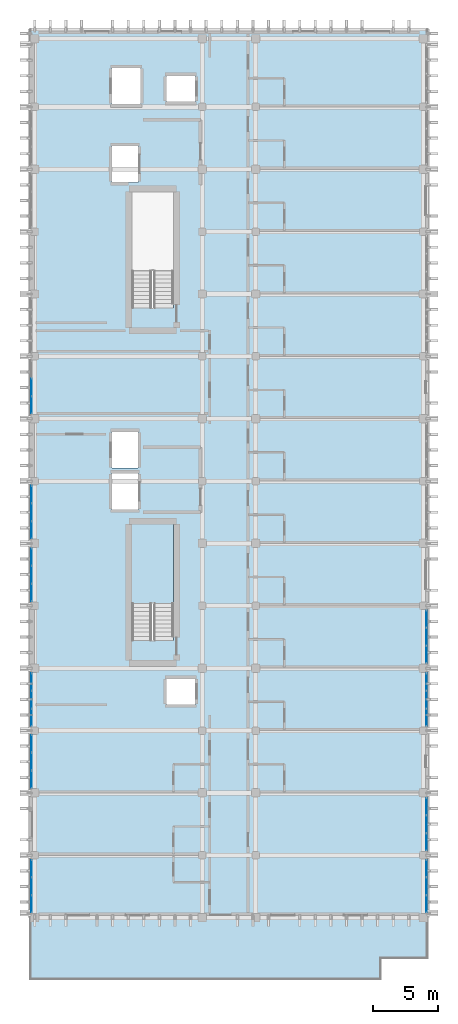
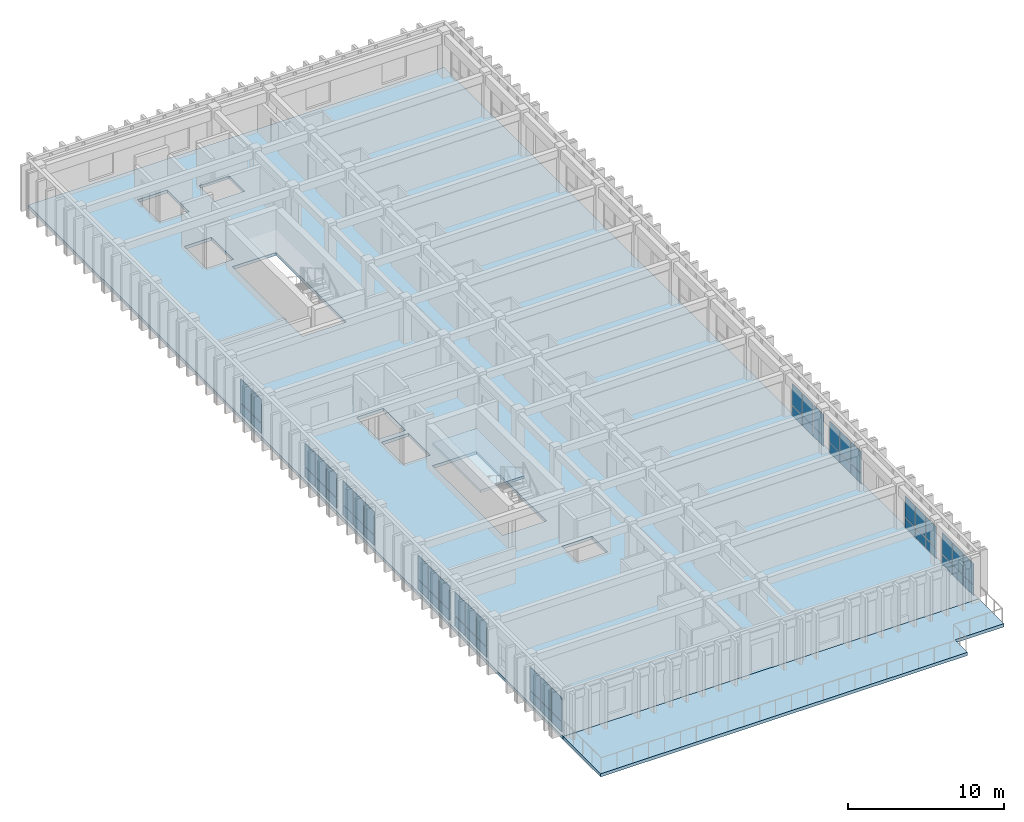
# One storey, part 38 of 49: 58 plates, 3 slabs, 11 elements without a shape of their own.
"""IFC4 building model written with IfcOpenShell, lengths in metres."""

import ifcopenshell
import ifcopenshell.guid

model = None  # the IFC model being written
_history = None  # IfcOwnerHistory: only IFC2X3 demands one
_inside = {}  # id of a spatial element -> (the spatial element, [elements in it])
_under = {}  # id of a project, library or spatial element -> (it, [spatial elements below it])
_declared = {}  # id of a project -> (the project, [libraries it declares])
_typed = {}  # id of a type object -> (the type object, [elements of that type])
_made_of = {}  # id of a material, layer set ... -> (it, [elements and type objects made of it])


def new_model(schema):
    """Start an empty IFC model of exactly this schema.

    Asked for "IFC4X3", IfcOpenShell would pick the latest addendum, in which some entities
    have other attributes; the version numbers below select the first issue.
    IFC2X3 requires an IfcOwnerHistory on every rooted entity: one is made here for all.
    """
    global model, _history
    if schema == "IFC4X3":
        model = ifcopenshell.file(schema_version=(4, 3, 0, 0))
    else:
        model = ifcopenshell.file(schema=schema)
    _inside.clear()
    _under.clear()
    _declared.clear()
    _typed.clear()
    _made_of.clear()
    _history = None
    if model.schema == "IFC2X3":
        org = make("IfcOrganization", Name="unknown")
        user = make(
            "IfcPersonAndOrganization",
            ThePerson=make("IfcPerson", FamilyName="unknown"),
            TheOrganization=org,
        )
        app = make(
            "IfcApplication",
            ApplicationDeveloper=org,
            Version="unknown",
            ApplicationFullName="unknown",
            ApplicationIdentifier="unknown",
        )
        _history = make(
            "IfcOwnerHistory",
            OwningUser=user,
            OwningApplication=app,
            ChangeAction="ADDED",
            CreationDate=0,
        )
    return model


def make(cls, **values):
    """One entity of the class cls with the attributes given. An attribute that is None is left unset."""
    return model.create_entity(
        cls, **{name: value for name, value in values.items() if value is not None}
    )


def rooted(cls, **values):
    """An entity with a GlobalId (a new one), such as an element, a storey or a relation."""
    return make(cls, GlobalId=ifcopenshell.guid.new(), OwnerHistory=_history, **values)


def si_unit(unit_type, name, prefix=None):
    """IfcSIUnit, for example si_unit("LENGTHUNIT", "METRE", prefix="MILLI")."""
    return make("IfcSIUnit", UnitType=unit_type, Prefix=prefix, Name=name)


def assignment(units):
    """IfcUnitAssignment: the units of a project."""
    return None if units is None else make("IfcUnitAssignment", Units=units)


def point(xyz):
    """IfcCartesianPoint."""
    return None if xyz is None else make("IfcCartesianPoint", Coordinates=xyz)


def direction(xyz):
    """IfcDirection."""
    return None if xyz is None else make("IfcDirection", DirectionRatios=xyz)


def frame(location, z_axis=None, x_axis=None):
    """IfcAxis2Placement3D, a coordinate frame: its origin and axes. An axis left out is left unset."""
    return make(
        "IfcAxis2Placement3D",
        Location=point(location),
        Axis=direction(z_axis),
        RefDirection=direction(x_axis),
    )


def frame_2d(location, x_axis=None):
    """IfcAxis2Placement2D, a coordinate frame in the plane: its origin and x axis."""
    return make(
        "IfcAxis2Placement2D", Location=point(location), RefDirection=direction(x_axis)
    )


def origin():
    """The frame at (0, 0, 0) with its axes left unset."""
    return frame((0.0, 0.0, 0.0))


def origin_2d():
    """The frame at (0, 0) in the plane with its x axis left unset."""
    return frame_2d((0.0, 0.0))


def place(relative_to, where):
    """IfcLocalPlacement: puts the frame where relative to a parent placement (None: the world)."""
    return make(
        "IfcLocalPlacement", PlacementRelTo=relative_to, RelativePlacement=where
    )


def context(
    kind, dimensions, precision=None, world=None, true_north=None, identifier=None
):
    """IfcGeometricRepresentationContext, for example the 3D "Model" context."""
    return make(
        "IfcGeometricRepresentationContext",
        ContextIdentifier=identifier,
        ContextType=kind,
        CoordinateSpaceDimension=dimensions,
        Precision=precision,
        WorldCoordinateSystem=world,
        TrueNorth=true_north,
    )


def subcontext(parent, identifier, kind, view, scale=None):
    """IfcGeometricRepresentationSubContext, for example "Body" below "Model"."""
    return make(
        "IfcGeometricRepresentationSubContext",
        ContextIdentifier=identifier,
        ContextType=kind,
        ParentContext=parent,
        TargetScale=scale,
        TargetView=view,
    )


def project(units=None, contexts=None):
    """IfcProject with its units and contexts."""
    return rooted(
        "IfcProject",
        Name="project",
        RepresentationContexts=contexts,
        UnitsInContext=assignment(units),
    )


def spatial(cls, under=None, at=None, **own):
    """A site, building, storey or space (cls), placed at a placement, below another one or the project."""
    s = rooted(cls, ObjectPlacement=at, **own)
    if under is not None:
        _under.setdefault(under.id(), (under, []))[1].append(s)
    return s


def polyline(points):
    """IfcPolyline through the points."""
    return make("IfcPolyline", Points=[point(p) for p in points])


def profile(cls, at=None, kind="AREA", **sizes):
    """A parametric profile (cls). Its sizes go by their IFC names, for example OverallWidth=200.0."""
    return make(cls, ProfileType=kind, Position=at, **sizes)


def rectangle(**sizes):
    """IfcRectangleProfileDef."""
    return profile("IfcRectangleProfileDef", **sizes)


def outline(outer, holes=None, kind="AREA"):
    """IfcArbitraryClosedProfileDef: a profile drawn as a closed curve; with holes, ...WithVoids."""
    if holes is None:
        return make("IfcArbitraryClosedProfileDef", ProfileType=kind, OuterCurve=outer)
    return make(
        "IfcArbitraryProfileDefWithVoids",
        ProfileType=kind,
        OuterCurve=outer,
        InnerCurves=holes,
    )


def extrude(swept, where, along, depth):
    """IfcExtrudedAreaSolid: the profile swept, set in the frame where, extruded along a direction by depth."""
    return make(
        "IfcExtrudedAreaSolid",
        SweptArea=swept,
        Position=where,
        ExtrudedDirection=direction(along),
        Depth=depth,
    )


def shape(context_of_items, identifier, shape_type, items):
    """IfcShapeRepresentation: the items that make up one representation, for example the "Body"."""
    return make(
        "IfcShapeRepresentation",
        ContextOfItems=context_of_items,
        RepresentationIdentifier=identifier,
        RepresentationType=shape_type,
        Items=items,
    )


def material(Name=None, Category=None):
    """IfcMaterial."""
    return make("IfcMaterial", Name=Name, Category=Category)


def layer(
    of_material, thickness, ventilated=None, Name=None, Category=None, Priority=None
):
    """IfcMaterialLayer: one layer of a wall or slab, of a material (None: an air gap)."""
    return make(
        "IfcMaterialLayer",
        Material=of_material,
        LayerThickness=thickness,
        IsVentilated=ventilated,
        Name=Name,
        Category=Category,
        Priority=Priority,
    )


def layer_set(layers, Name=None):
    """IfcMaterialLayerSet."""
    return make("IfcMaterialLayerSet", MaterialLayers=layers, LayerSetName=Name)


def made_of(thing, what):
    """Note that an element or type object is made of a material, layer set ...; save() writes the relation."""
    if what is not None:
        _made_of.setdefault(what.id(), (what, []))[1].append(thing)
    return thing


def type_object(cls, material=None, **own):
    """A type object (cls), such as IfcWallType, which elements share."""
    return made_of(rooted(cls, **own), material)


def element(
    cls,
    number,
    at=None,
    inside=None,
    cuts=None,
    type_object=None,
    material=None,
    context=None,
    identifier="Body",
    shape_type=None,
    held_by="IfcProductDefinitionShape",
    body=None,
    shapes=None,
    **own,
):
    """One element of the class cls, such as IfcWall. Its Tag is "e" and its number.

    at: its placement. inside: the storey or other place that contains it. cuts: it is an
    opening in that element (IfcRelVoidsElement). A single representation is given by context,
    identifier, shape_type and body (its items); several are given by shapes. held_by: the class
    of the entity that holds the representations. save() writes the other relations.
    """
    e = rooted(cls, Tag="e%d" % number, ObjectPlacement=at, **own)
    if body is not None:
        shapes = [shape(context, identifier, shape_type, body)]
    if shapes is not None:
        e.Representation = make(held_by, Representations=shapes)
    if inside is not None:
        _inside.setdefault(inside.id(), (inside, []))[1].append(e)
    if cuts is not None:
        rooted(
            "IfcRelVoidsElement", RelatingBuildingElement=cuts, RelatedOpeningElement=e
        )
    if type_object is not None:
        _typed.setdefault(type_object.id(), (type_object, []))[1].append(e)
    return made_of(e, material)


def aggregate(whole, parts):
    """IfcRelAggregates: a whole, such as a stair, and the parts it consists of."""
    return rooted("IfcRelAggregates", RelatingObject=whole, RelatedObjects=parts)


def save(model, path):
    """Write the relations noted so far, then the file.

    IfcRelAggregates (storeys below a building ...), IfcRelContainedInSpatialStructure (elements
    in a storey), IfcRelDefinesByType, IfcRelAssociatesMaterial and IfcRelDeclares: one each for
    every whole, place, type object, material and project.
    """
    for whole, parts in _under.values():
        aggregate(whole, parts)
    for where, things in _inside.values():
        rooted(
            "IfcRelContainedInSpatialStructure",
            RelatedElements=things,
            RelatingStructure=where,
        )
    for kind, things in _typed.values():
        rooted("IfcRelDefinesByType", RelatedObjects=things, RelatingType=kind)
    for what, things in _made_of.values():
        rooted("IfcRelAssociatesMaterial", RelatedObjects=things, RelatingMaterial=what)
    for by, libraries in _declared.values():
        rooted("IfcRelDeclares", RelatingContext=by, RelatedDefinitions=libraries)
    model.write(path)


model = new_model("IFC4")

# Units and contexts
model_context = context("Model", 3, precision=1e-05, world=origin(), true_north=direction((0.0, 1.0)))
body_context = subcontext(model_context, "Body", "Model", "MODEL_VIEW")
ifc_project = project(units=[si_unit("LENGTHUNIT", "METRE"), si_unit("AREAUNIT", "SQUARE_METRE"), si_unit("VOLUMEUNIT", "CUBIC_METRE"), si_unit("PLANEANGLEUNIT", "RADIAN"), si_unit("MASSUNIT", "GRAM", prefix="KILO")], contexts=[model_context])

# Site, building, storey
site_placement = place(None, origin())
site = spatial("IfcSite", under=ifc_project, at=site_placement, CompositionType="ELEMENT")
building_placement = place(site_placement, origin())
building = spatial("IfcBuilding", under=site, at=building_placement, Name="Nakhvara Creek Congress Hotel", CompositionType="ELEMENT")
storey_placement = place(building_placement, frame((0.0, 0.0, 39.0)))
storey = spatial("IfcBuildingStorey", under=building, at=storey_placement, Name="L09", CompositionType="ELEMENT", Elevation=39.0)

# Curtain wall, plates
ifc_material_1 = material(Name="Bronze-anodised aluminium AW-6063-T6 and double-silver low-E glass", Category="aluminium")
ifc_layer_1 = layer(ifc_material_1, 0.199951171875)
ifc_layer_set_1 = layer_set([ifc_layer_1], Name="Bronze-anodised aluminium AW-6063-T6 and double-silver low-E glass")
curtain_wall_type = type_object("IfcCurtainWallType", Name="CW-HTL-UNIT", PredefinedType="USERDEFINED", material=ifc_layer_set_1)
curtain_wall_1_placement = place(storey_placement, origin())
curtain_wall_1 = element("IfcCurtainWall", 1, at=curtain_wall_1_placement, inside=storey, type_object=curtain_wall_type, Name="Curtain Wall CW295", ObjectType="UNITISED", PredefinedType="USERDEFINED")
ifc_material_2 = material(Name="Double-silver solar-control low-E insulated glass", Category="glass")
plate_type_1 = type_object("IfcPlateType", Name="PNL-GLZ-120X250", PredefinedType="CURTAIN_PANEL", material=ifc_material_2)
plate_1_placement = place(storey_placement, frame((179.60009765625, 61.38623046875, 0.06494140625), z_axis=(0.0, 0.0, 1.0), x_axis=(0.0, -1.0, 0.0)))
plate_1 = element("IfcPlate", 2, at=plate_1_placement, type_object=plate_type_1, Name="CW295 panel 1.1", PredefinedType="CURTAIN_PANEL", context=body_context, shape_type="SweptSolid", body=[
    extrude(rectangle(XDim=1.28759765625, YDim=0.028076171875, at=origin_2d()), origin(), (0.0, 0.0, 1.0), 0.75244140625),
])
plate_2_placement = place(storey_placement, frame((179.60009765625, 61.38623046875, 0.88232421875), z_axis=(0.0, 0.0, 1.0), x_axis=(0.0, -1.0, 0.0)))
plate_2 = element("IfcPlate", 3, at=plate_2_placement, type_object=plate_type_1, Name="CW295 panel 1.2", PredefinedType="CURTAIN_PANEL", context=body_context, shape_type="SweptSolid", body=[
    extrude(rectangle(XDim=1.28759765625, YDim=0.028076171875, at=origin_2d()), origin(), (0.0, 0.0, 1.0), 1.654541015625),
])
plate_3_placement = place(storey_placement, frame((179.60009765625, 60.017578125, 0.06494140625), z_axis=(0.0, 0.0, 1.0), x_axis=(0.0, -1.0, 0.0)))
plate_3 = element("IfcPlate", 4, at=plate_3_placement, type_object=plate_type_1, Name="CW295 panel 2.1", PredefinedType="CURTAIN_PANEL", context=body_context, shape_type="SweptSolid", body=[
    extrude(rectangle(XDim=1.320068359375, YDim=0.028076171875, at=origin_2d()), origin(), (0.0, 0.0, 1.0), 0.75244140625),
])
plate_4_placement = place(storey_placement, frame((179.60009765625, 60.017578125, 0.88232421875), z_axis=(0.0, 0.0, 1.0), x_axis=(0.0, -1.0, 0.0)))
plate_4 = element("IfcPlate", 5, at=plate_4_placement, type_object=plate_type_1, Name="CW295 panel 2.2", PredefinedType="CURTAIN_PANEL", context=body_context, shape_type="SweptSolid", body=[
    extrude(rectangle(XDim=1.320068359375, YDim=0.028076171875, at=origin_2d()), origin(), (0.0, 0.0, 1.0), 1.654541015625),
])
plate_5_placement = place(storey_placement, frame((179.60009765625, 58.648681640625, 0.06494140625), z_axis=(0.0, 0.0, 1.0), x_axis=(0.0, -1.0, 0.0)))
plate_5 = element("IfcPlate", 6, at=plate_5_placement, type_object=plate_type_1, Name="CW295 panel 3.1", PredefinedType="CURTAIN_PANEL", context=body_context, shape_type="SweptSolid", body=[
    extrude(rectangle(XDim=1.28759765625, YDim=0.028076171875, at=origin_2d()), origin(), (0.0, 0.0, 1.0), 0.75244140625),
])
plate_6_placement = place(storey_placement, frame((179.60009765625, 58.648681640625, 0.88232421875), z_axis=(0.0, 0.0, 1.0), x_axis=(0.0, -1.0, 0.0)))
plate_6 = element("IfcPlate", 7, at=plate_6_placement, type_object=plate_type_1, Name="CW295 panel 3.2", PredefinedType="CURTAIN_PANEL", context=body_context, shape_type="SweptSolid", body=[
    extrude(rectangle(XDim=1.28759765625, YDim=0.028076171875, at=origin_2d()), origin(), (0.0, 0.0, 1.0), 1.654541015625),
])
aggregate(curtain_wall_1, [plate_1, plate_2, plate_3, plate_4, plate_5, plate_6])

curtain_wall_2_placement = place(storey_placement, origin())
curtain_wall_2 = element("IfcCurtainWall", 8, at=curtain_wall_2_placement, inside=storey, type_object=curtain_wall_type, Name="Curtain Wall CW296", ObjectType="UNITISED", PredefinedType="USERDEFINED")
plate_7_placement = place(storey_placement, frame((149.199951171875, 58.648681640625, 0.06494140625), z_axis=(0.0, 0.0, 1.0), x_axis=(0.0, 1.0, 0.0)))
plate_7 = element("IfcPlate", 9, at=plate_7_placement, type_object=plate_type_1, Name="CW296 panel 1.1", PredefinedType="CURTAIN_PANEL", context=body_context, shape_type="SweptSolid", body=[
    extrude(rectangle(XDim=1.28759765625, YDim=0.028076171875, at=origin_2d()), origin(), (0.0, 0.0, 1.0), 0.75244140625),
])
plate_8_placement = place(storey_placement, frame((149.199951171875, 58.648681640625, 0.88232421875), z_axis=(0.0, 0.0, 1.0), x_axis=(0.0, 1.0, 0.0)))
plate_8 = element("IfcPlate", 10, at=plate_8_placement, type_object=plate_type_1, Name="CW296 panel 1.2", PredefinedType="CURTAIN_PANEL", context=body_context, shape_type="SweptSolid", body=[
    extrude(rectangle(XDim=1.28759765625, YDim=0.028076171875, at=origin_2d()), origin(), (0.0, 0.0, 1.0), 1.824462890625),
])
plate_9_placement = place(storey_placement, frame((149.199951171875, 60.017578125, 0.06494140625), z_axis=(0.0, 0.0, 1.0), x_axis=(0.0, 1.0, 0.0)))
plate_9 = element("IfcPlate", 11, at=plate_9_placement, type_object=plate_type_1, Name="CW296 panel 2.1", PredefinedType="CURTAIN_PANEL", context=body_context, shape_type="SweptSolid", body=[
    extrude(rectangle(XDim=1.320068359375, YDim=0.028076171875, at=origin_2d()), origin(), (0.0, 0.0, 1.0), 0.75244140625),
])
plate_10_placement = place(storey_placement, frame((149.199951171875, 60.017578125, 0.88232421875), z_axis=(0.0, 0.0, 1.0), x_axis=(0.0, 1.0, 0.0)))
plate_10 = element("IfcPlate", 12, at=plate_10_placement, type_object=plate_type_1, Name="CW296 panel 2.2", PredefinedType="CURTAIN_PANEL", context=body_context, shape_type="SweptSolid", body=[
    extrude(rectangle(XDim=1.320068359375, YDim=0.028076171875, at=origin_2d()), origin(), (0.0, 0.0, 1.0), 1.824462890625),
])
plate_11_placement = place(storey_placement, frame((149.199951171875, 61.38623046875, 0.06494140625), z_axis=(0.0, 0.0, 1.0), x_axis=(0.0, 1.0, 0.0)))
plate_11 = element("IfcPlate", 13, at=plate_11_placement, type_object=plate_type_1, Name="CW296 panel 3.1", PredefinedType="CURTAIN_PANEL", context=body_context, shape_type="SweptSolid", body=[
    extrude(rectangle(XDim=1.28759765625, YDim=0.028076171875, at=origin_2d()), origin(), (0.0, 0.0, 1.0), 0.75244140625),
])
plate_12_placement = place(storey_placement, frame((149.199951171875, 61.38623046875, 0.88232421875), z_axis=(0.0, 0.0, 1.0), x_axis=(0.0, 1.0, 0.0)))
plate_12 = element("IfcPlate", 14, at=plate_12_placement, type_object=plate_type_1, Name="CW296 panel 3.2", PredefinedType="CURTAIN_PANEL", context=body_context, shape_type="SweptSolid", body=[
    extrude(rectangle(XDim=1.28759765625, YDim=0.028076171875, at=origin_2d()), origin(), (0.0, 0.0, 1.0), 1.824462890625),
])
aggregate(curtain_wall_2, [plate_7, plate_8, plate_9, plate_10, plate_11, plate_12])

curtain_wall_3_placement = place(storey_placement, origin())
curtain_wall_3 = element("IfcCurtainWall", 15, at=curtain_wall_3_placement, inside=storey, type_object=curtain_wall_type, Name="Curtain Wall CW297", ObjectType="UNITISED", PredefinedType="USERDEFINED")
plate_13_placement = place(storey_placement, frame((179.60009765625, 66.1513671875, 0.06494140625), z_axis=(0.0, 0.0, 1.0), x_axis=(0.0, -1.0, 0.0)))
plate_13 = element("IfcPlate", 16, at=plate_13_placement, type_object=plate_type_1, Name="CW297 panel 1.1", PredefinedType="CURTAIN_PANEL", context=body_context, shape_type="SweptSolid", body=[
    extrude(rectangle(XDim=1.28759765625, YDim=0.028076171875, at=origin_2d()), origin(), (0.0, 0.0, 1.0), 0.75244140625),
])
plate_14_placement = place(storey_placement, frame((179.60009765625, 66.1513671875, 0.88232421875), z_axis=(0.0, 0.0, 1.0), x_axis=(0.0, -1.0, 0.0)))
plate_14 = element("IfcPlate", 17, at=plate_14_placement, type_object=plate_type_1, Name="CW297 panel 1.2", PredefinedType="CURTAIN_PANEL", context=body_context, shape_type="SweptSolid", body=[
    extrude(rectangle(XDim=1.28759765625, YDim=0.028076171875, at=origin_2d()), origin(), (0.0, 0.0, 1.0), 1.654541015625),
])
plate_15_placement = place(storey_placement, frame((179.60009765625, 64.782470703125, 0.06494140625), z_axis=(0.0, 0.0, 1.0), x_axis=(0.0, -1.0, 0.0)))
plate_15 = element("IfcPlate", 18, at=plate_15_placement, type_object=plate_type_1, Name="CW297 panel 2.1", PredefinedType="CURTAIN_PANEL", context=body_context, shape_type="SweptSolid", body=[
    extrude(rectangle(XDim=1.320068359375, YDim=0.028076171875, at=origin_2d()), origin(), (0.0, 0.0, 1.0), 0.75244140625),
])
plate_16_placement = place(storey_placement, frame((179.60009765625, 64.782470703125, 0.88232421875), z_axis=(0.0, 0.0, 1.0), x_axis=(0.0, -1.0, 0.0)))
plate_16 = element("IfcPlate", 19, at=plate_16_placement, type_object=plate_type_1, Name="CW297 panel 2.2", PredefinedType="CURTAIN_PANEL", context=body_context, shape_type="SweptSolid", body=[
    extrude(rectangle(XDim=1.320068359375, YDim=0.028076171875, at=origin_2d()), origin(), (0.0, 0.0, 1.0), 1.654541015625),
])
plate_17_placement = place(storey_placement, frame((179.60009765625, 63.413818359375, 0.06494140625), z_axis=(0.0, 0.0, 1.0), x_axis=(0.0, -1.0, 0.0)))
plate_17 = element("IfcPlate", 20, at=plate_17_placement, type_object=plate_type_1, Name="CW297 panel 3.1", PredefinedType="CURTAIN_PANEL", context=body_context, shape_type="SweptSolid", body=[
    extrude(rectangle(XDim=1.28759765625, YDim=0.028076171875, at=origin_2d()), origin(), (0.0, 0.0, 1.0), 0.75244140625),
])
plate_18_placement = place(storey_placement, frame((179.60009765625, 63.413818359375, 0.88232421875), z_axis=(0.0, 0.0, 1.0), x_axis=(0.0, -1.0, 0.0)))
plate_18 = element("IfcPlate", 21, at=plate_18_placement, type_object=plate_type_1, Name="CW297 panel 3.2", PredefinedType="CURTAIN_PANEL", context=body_context, shape_type="SweptSolid", body=[
    extrude(rectangle(XDim=1.28759765625, YDim=0.028076171875, at=origin_2d()), origin(), (0.0, 0.0, 1.0), 1.654541015625),
])
aggregate(curtain_wall_3, [plate_13, plate_14, plate_15, plate_16, plate_17, plate_18])

curtain_wall_4_placement = place(storey_placement, origin())
curtain_wall_4 = element("IfcCurtainWall", 22, at=curtain_wall_4_placement, inside=storey, type_object=curtain_wall_type, Name="Curtain Wall CW298", ObjectType="UNITISED", PredefinedType="USERDEFINED")
plate_19_placement = place(storey_placement, frame((149.199951171875, 68.248779296875, 0.06494140625), z_axis=(0.0, 0.0, 1.0), x_axis=(0.0, 1.0, 0.0)))
plate_19 = element("IfcPlate", 23, at=plate_19_placement, type_object=plate_type_1, Name="CW298 panel 1.1", PredefinedType="CURTAIN_PANEL", context=body_context, shape_type="SweptSolid", body=[
    extrude(rectangle(XDim=1.28759765625, YDim=0.028076171875, at=origin_2d()), origin(), (0.0, 0.0, 1.0), 0.75244140625),
])
plate_20_placement = place(storey_placement, frame((149.199951171875, 68.248779296875, 0.88232421875), z_axis=(0.0, 0.0, 1.0), x_axis=(0.0, 1.0, 0.0)))
plate_20 = element("IfcPlate", 24, at=plate_20_placement, type_object=plate_type_1, Name="CW298 panel 1.2", PredefinedType="CURTAIN_PANEL", context=body_context, shape_type="SweptSolid", body=[
    extrude(rectangle(XDim=1.28759765625, YDim=0.028076171875, at=origin_2d()), origin(), (0.0, 0.0, 1.0), 1.824462890625),
])
plate_21_placement = place(storey_placement, frame((149.199951171875, 69.617431640625, 0.06494140625), z_axis=(0.0, 0.0, 1.0), x_axis=(0.0, 1.0, 0.0)))
plate_21 = element("IfcPlate", 25, at=plate_21_placement, type_object=plate_type_1, Name="CW298 panel 2.1", PredefinedType="CURTAIN_PANEL", context=body_context, shape_type="SweptSolid", body=[
    extrude(rectangle(XDim=1.320068359375, YDim=0.028076171875, at=origin_2d()), origin(), (0.0, 0.0, 1.0), 0.75244140625),
])
plate_22_placement = place(storey_placement, frame((149.199951171875, 69.617431640625, 0.88232421875), z_axis=(0.0, 0.0, 1.0), x_axis=(0.0, 1.0, 0.0)))
plate_22 = element("IfcPlate", 26, at=plate_22_placement, type_object=plate_type_1, Name="CW298 panel 2.2", PredefinedType="CURTAIN_PANEL", context=body_context, shape_type="SweptSolid", body=[
    extrude(rectangle(XDim=1.320068359375, YDim=0.028076171875, at=origin_2d()), origin(), (0.0, 0.0, 1.0), 1.824462890625),
])
plate_23_placement = place(storey_placement, frame((149.199951171875, 70.986328125, 0.06494140625), z_axis=(0.0, 0.0, 1.0), x_axis=(0.0, 1.0, 0.0)))
plate_23 = element("IfcPlate", 27, at=plate_23_placement, type_object=plate_type_1, Name="CW298 panel 3.1", PredefinedType="CURTAIN_PANEL", context=body_context, shape_type="SweptSolid", body=[
    extrude(rectangle(XDim=1.28759765625, YDim=0.028076171875, at=origin_2d()), origin(), (0.0, 0.0, 1.0), 0.75244140625),
])
plate_24_placement = place(storey_placement, frame((149.199951171875, 70.986328125, 0.88232421875), z_axis=(0.0, 0.0, 1.0), x_axis=(0.0, 1.0, 0.0)))
plate_24 = element("IfcPlate", 28, at=plate_24_placement, type_object=plate_type_1, Name="CW298 panel 3.2", PredefinedType="CURTAIN_PANEL", context=body_context, shape_type="SweptSolid", body=[
    extrude(rectangle(XDim=1.28759765625, YDim=0.028076171875, at=origin_2d()), origin(), (0.0, 0.0, 1.0), 1.824462890625),
])
aggregate(curtain_wall_4, [plate_19, plate_20, plate_21, plate_22, plate_23, plate_24])

curtain_wall_5_placement = place(storey_placement, origin())
curtain_wall_5 = element("IfcCurtainWall", 29, at=curtain_wall_5_placement, inside=storey, type_object=curtain_wall_type, Name="Curtain Wall CW301", ObjectType="UNITISED", PredefinedType="USERDEFINED")
plate_25_placement = place(storey_placement, frame((179.60009765625, 80.586181640625, 0.06494140625), z_axis=(0.0, 0.0, 1.0), x_axis=(0.0, -1.0, 0.0)))
plate_25 = element("IfcPlate", 30, at=plate_25_placement, type_object=plate_type_1, Name="CW301 panel 1.1", PredefinedType="CURTAIN_PANEL", context=body_context, shape_type="SweptSolid", body=[
    extrude(rectangle(XDim=1.28759765625, YDim=0.028076171875, at=origin_2d()), origin(), (0.0, 0.0, 1.0), 0.75244140625),
])
plate_26_placement = place(storey_placement, frame((179.60009765625, 80.586181640625, 0.88232421875), z_axis=(0.0, 0.0, 1.0), x_axis=(0.0, -1.0, 0.0)))
plate_26 = element("IfcPlate", 31, at=plate_26_placement, type_object=plate_type_1, Name="CW301 panel 1.2", PredefinedType="CURTAIN_PANEL", context=body_context, shape_type="SweptSolid", body=[
    extrude(rectangle(XDim=1.28759765625, YDim=0.028076171875, at=origin_2d()), origin(), (0.0, 0.0, 1.0), 1.654541015625),
])
plate_27_placement = place(storey_placement, frame((179.60009765625, 79.217529296875, 0.06494140625), z_axis=(0.0, 0.0, 1.0), x_axis=(0.0, -1.0, 0.0)))
plate_27 = element("IfcPlate", 32, at=plate_27_placement, type_object=plate_type_1, Name="CW301 panel 2.1", PredefinedType="CURTAIN_PANEL", context=body_context, shape_type="SweptSolid", body=[
    extrude(rectangle(XDim=1.320068359375, YDim=0.028076171875, at=origin_2d()), origin(), (0.0, 0.0, 1.0), 0.75244140625),
])
plate_28_placement = place(storey_placement, frame((179.60009765625, 79.217529296875, 0.88232421875), z_axis=(0.0, 0.0, 1.0), x_axis=(0.0, -1.0, 0.0)))
plate_28 = element("IfcPlate", 33, at=plate_28_placement, type_object=plate_type_1, Name="CW301 panel 2.2", PredefinedType="CURTAIN_PANEL", context=body_context, shape_type="SweptSolid", body=[
    extrude(rectangle(XDim=1.320068359375, YDim=0.028076171875, at=origin_2d()), origin(), (0.0, 0.0, 1.0), 1.654541015625),
])
plate_29_placement = place(storey_placement, frame((179.60009765625, 77.8486328125, 0.06494140625), z_axis=(0.0, 0.0, 1.0), x_axis=(0.0, -1.0, 0.0)))
plate_29 = element("IfcPlate", 34, at=plate_29_placement, type_object=plate_type_1, Name="CW301 panel 3.1", PredefinedType="CURTAIN_PANEL", context=body_context, shape_type="SweptSolid", body=[
    extrude(rectangle(XDim=1.28759765625, YDim=0.028076171875, at=origin_2d()), origin(), (0.0, 0.0, 1.0), 0.75244140625),
])
plate_30_placement = place(storey_placement, frame((179.60009765625, 77.8486328125, 0.88232421875), z_axis=(0.0, 0.0, 1.0), x_axis=(0.0, -1.0, 0.0)))
plate_30 = element("IfcPlate", 35, at=plate_30_placement, type_object=plate_type_1, Name="CW301 panel 3.2", PredefinedType="CURTAIN_PANEL", context=body_context, shape_type="SweptSolid", body=[
    extrude(rectangle(XDim=1.28759765625, YDim=0.028076171875, at=origin_2d()), origin(), (0.0, 0.0, 1.0), 1.654541015625),
])
aggregate(curtain_wall_5, [plate_25, plate_26, plate_27, plate_28, plate_29, plate_30])

curtain_wall_6_placement = place(storey_placement, origin())
curtain_wall_6 = element("IfcCurtainWall", 36, at=curtain_wall_6_placement, inside=storey, type_object=curtain_wall_type, Name="Curtain Wall CW302", ObjectType="UNITISED", PredefinedType="USERDEFINED")
plate_31_placement = place(storey_placement, frame((149.199951171875, 82.61376953125, 0.06494140625), z_axis=(0.0, 0.0, 1.0), x_axis=(0.0, 1.0, 0.0)))
plate_31 = element("IfcPlate", 37, at=plate_31_placement, type_object=plate_type_1, Name="CW302 panel 1.1", PredefinedType="CURTAIN_PANEL", context=body_context, shape_type="SweptSolid", body=[
    extrude(rectangle(XDim=1.28759765625, YDim=0.028076171875, at=origin_2d()), origin(), (0.0, 0.0, 1.0), 0.75244140625),
])
plate_32_placement = place(storey_placement, frame((149.199951171875, 82.61376953125, 0.88232421875), z_axis=(0.0, 0.0, 1.0), x_axis=(0.0, 1.0, 0.0)))
plate_32 = element("IfcPlate", 38, at=plate_32_placement, type_object=plate_type_1, Name="CW302 panel 1.2", PredefinedType="CURTAIN_PANEL", context=body_context, shape_type="SweptSolid", body=[
    extrude(rectangle(XDim=1.28759765625, YDim=0.028076171875, at=origin_2d()), origin(), (0.0, 0.0, 1.0), 1.824462890625),
])
plate_33_placement = place(storey_placement, frame((149.199951171875, 83.982421875, 0.06494140625), z_axis=(0.0, 0.0, 1.0), x_axis=(0.0, 1.0, 0.0)))
plate_33 = element("IfcPlate", 39, at=plate_33_placement, type_object=plate_type_1, Name="CW302 panel 2.1", PredefinedType="CURTAIN_PANEL", context=body_context, shape_type="SweptSolid", body=[
    extrude(rectangle(XDim=1.320068359375, YDim=0.028076171875, at=origin_2d()), origin(), (0.0, 0.0, 1.0), 0.75244140625),
])
plate_34_placement = place(storey_placement, frame((149.199951171875, 83.982421875, 0.88232421875), z_axis=(0.0, 0.0, 1.0), x_axis=(0.0, 1.0, 0.0)))
plate_34 = element("IfcPlate", 40, at=plate_34_placement, type_object=plate_type_1, Name="CW302 panel 2.2", PredefinedType="CURTAIN_PANEL", context=body_context, shape_type="SweptSolid", body=[
    extrude(rectangle(XDim=1.320068359375, YDim=0.028076171875, at=origin_2d()), origin(), (0.0, 0.0, 1.0), 1.824462890625),
])
plate_35_placement = place(storey_placement, frame((149.199951171875, 85.351318359375, 0.06494140625), z_axis=(0.0, 0.0, 1.0), x_axis=(0.0, 1.0, 0.0)))
plate_35 = element("IfcPlate", 41, at=plate_35_placement, type_object=plate_type_1, Name="CW302 panel 3.1", PredefinedType="CURTAIN_PANEL", context=body_context, shape_type="SweptSolid", body=[
    extrude(rectangle(XDim=1.28759765625, YDim=0.028076171875, at=origin_2d()), origin(), (0.0, 0.0, 1.0), 0.75244140625),
])
plate_36_placement = place(storey_placement, frame((149.199951171875, 85.351318359375, 0.88232421875), z_axis=(0.0, 0.0, 1.0), x_axis=(0.0, 1.0, 0.0)))
plate_36 = element("IfcPlate", 42, at=plate_36_placement, type_object=plate_type_1, Name="CW302 panel 3.2", PredefinedType="CURTAIN_PANEL", context=body_context, shape_type="SweptSolid", body=[
    extrude(rectangle(XDim=1.28759765625, YDim=0.028076171875, at=origin_2d()), origin(), (0.0, 0.0, 1.0), 1.824462890625),
])
aggregate(curtain_wall_6, [plate_31, plate_32, plate_33, plate_34, plate_35, plate_36])

curtain_wall_7_placement = place(storey_placement, origin())
curtain_wall_7 = element("IfcCurtainWall", 43, at=curtain_wall_7_placement, inside=storey, type_object=curtain_wall_type, Name="Curtain Wall CW304", ObjectType="UNITISED", PredefinedType="USERDEFINED")
plate_37_placement = place(storey_placement, frame((149.199951171875, 87.44873046875, 0.06494140625), z_axis=(0.0, 0.0, 1.0), x_axis=(0.0, 1.0, 0.0)))
plate_37 = element("IfcPlate", 44, at=plate_37_placement, type_object=plate_type_1, Name="CW304 panel 1.1", PredefinedType="CURTAIN_PANEL", context=body_context, shape_type="SweptSolid", body=[
    extrude(rectangle(XDim=1.28759765625, YDim=0.028076171875, at=origin_2d()), origin(), (0.0, 0.0, 1.0), 0.75244140625),
])
plate_38_placement = place(storey_placement, frame((149.199951171875, 87.44873046875, 0.88232421875), z_axis=(0.0, 0.0, 1.0), x_axis=(0.0, 1.0, 0.0)))
plate_38 = element("IfcPlate", 45, at=plate_38_placement, type_object=plate_type_1, Name="CW304 panel 1.2", PredefinedType="CURTAIN_PANEL", context=body_context, shape_type="SweptSolid", body=[
    extrude(rectangle(XDim=1.28759765625, YDim=0.028076171875, at=origin_2d()), origin(), (0.0, 0.0, 1.0), 1.824462890625),
])
plate_39_placement = place(storey_placement, frame((149.199951171875, 88.8173828125, 0.06494140625), z_axis=(0.0, 0.0, 1.0), x_axis=(0.0, 1.0, 0.0)))
plate_39 = element("IfcPlate", 46, at=plate_39_placement, type_object=plate_type_1, Name="CW304 panel 2.1", PredefinedType="CURTAIN_PANEL", context=body_context, shape_type="SweptSolid", body=[
    extrude(rectangle(XDim=1.320068359375, YDim=0.028076171875, at=origin_2d()), origin(), (0.0, 0.0, 1.0), 0.75244140625),
])
plate_40_placement = place(storey_placement, frame((149.199951171875, 88.8173828125, 0.88232421875), z_axis=(0.0, 0.0, 1.0), x_axis=(0.0, 1.0, 0.0)))
plate_40 = element("IfcPlate", 47, at=plate_40_placement, type_object=plate_type_1, Name="CW304 panel 2.2", PredefinedType="CURTAIN_PANEL", context=body_context, shape_type="SweptSolid", body=[
    extrude(rectangle(XDim=1.320068359375, YDim=0.028076171875, at=origin_2d()), origin(), (0.0, 0.0, 1.0), 1.824462890625),
])
plate_41_placement = place(storey_placement, frame((149.199951171875, 90.186279296875, 0.06494140625), z_axis=(0.0, 0.0, 1.0), x_axis=(0.0, 1.0, 0.0)))
plate_41 = element("IfcPlate", 48, at=plate_41_placement, type_object=plate_type_1, Name="CW304 panel 3.1", PredefinedType="CURTAIN_PANEL", context=body_context, shape_type="SweptSolid", body=[
    extrude(rectangle(XDim=1.28759765625, YDim=0.028076171875, at=origin_2d()), origin(), (0.0, 0.0, 1.0), 0.75244140625),
])
plate_42_placement = place(storey_placement, frame((149.199951171875, 90.186279296875, 0.88232421875), z_axis=(0.0, 0.0, 1.0), x_axis=(0.0, 1.0, 0.0)))
plate_42 = element("IfcPlate", 49, at=plate_42_placement, type_object=plate_type_1, Name="CW304 panel 3.2", PredefinedType="CURTAIN_PANEL", context=body_context, shape_type="SweptSolid", body=[
    extrude(rectangle(XDim=1.28759765625, YDim=0.028076171875, at=origin_2d()), origin(), (0.0, 0.0, 1.0), 1.824462890625),
])
aggregate(curtain_wall_7, [plate_37, plate_38, plate_39, plate_40, plate_41, plate_42])

curtain_wall_8_placement = place(storey_placement, origin())
curtain_wall_8 = element("IfcCurtainWall", 50, at=curtain_wall_8_placement, inside=storey, type_object=curtain_wall_type, Name="Curtain Wall CW306", ObjectType="UNITISED", PredefinedType="USERDEFINED")
plate_43_placement = place(storey_placement, frame((149.199951171875, 97.048828125, 0.06494140625), z_axis=(0.0, 0.0, 1.0), x_axis=(0.0, 1.0, 0.0)))
plate_43 = element("IfcPlate", 51, at=plate_43_placement, type_object=plate_type_1, Name="CW306 panel 1.1", PredefinedType="CURTAIN_PANEL", context=body_context, shape_type="SweptSolid", body=[
    extrude(rectangle(XDim=1.28759765625, YDim=0.028076171875, at=origin_2d()), origin(), (0.0, 0.0, 1.0), 0.75244140625),
])
plate_44_placement = place(storey_placement, frame((149.199951171875, 97.048828125, 0.88232421875), z_axis=(0.0, 0.0, 1.0), x_axis=(0.0, 1.0, 0.0)))
plate_44 = element("IfcPlate", 52, at=plate_44_placement, type_object=plate_type_1, Name="CW306 panel 1.2", PredefinedType="CURTAIN_PANEL", context=body_context, shape_type="SweptSolid", body=[
    extrude(rectangle(XDim=1.28759765625, YDim=0.028076171875, at=origin_2d()), origin(), (0.0, 0.0, 1.0), 1.824462890625),
])
plate_45_placement = place(storey_placement, frame((149.199951171875, 98.41748046875, 0.06494140625), z_axis=(0.0, 0.0, 1.0), x_axis=(0.0, 1.0, 0.0)))
plate_45 = element("IfcPlate", 53, at=plate_45_placement, type_object=plate_type_1, Name="CW306 panel 2.1", PredefinedType="CURTAIN_PANEL", context=body_context, shape_type="SweptSolid", body=[
    extrude(rectangle(XDim=1.320068359375, YDim=0.028076171875, at=origin_2d()), origin(), (0.0, 0.0, 1.0), 0.75244140625),
])
plate_46_placement = place(storey_placement, frame((149.199951171875, 98.41748046875, 0.88232421875), z_axis=(0.0, 0.0, 1.0), x_axis=(0.0, 1.0, 0.0)))
plate_46 = element("IfcPlate", 54, at=plate_46_placement, type_object=plate_type_1, Name="CW306 panel 2.2", PredefinedType="CURTAIN_PANEL", context=body_context, shape_type="SweptSolid", body=[
    extrude(rectangle(XDim=1.320068359375, YDim=0.028076171875, at=origin_2d()), origin(), (0.0, 0.0, 1.0), 1.824462890625),
])
aggregate(curtain_wall_8, [plate_43, plate_44, plate_45, plate_46])

curtain_wall_9_placement = place(storey_placement, origin())
curtain_wall_9 = element("IfcCurtainWall", 55, at=curtain_wall_9_placement, inside=storey, type_object=curtain_wall_type, Name="Curtain Wall CW299", ObjectType="UNITISED", PredefinedType="USERDEFINED")
ifc_material_3 = material(Name="Back-insulated bronze spandrel glass panel", Category="glass")
plate_type_2 = type_object("IfcPlateType", Name="PNL-SPN-120X080", PredefinedType="CURTAIN_PANEL", material=ifc_material_3)
plate_47_placement = place(storey_placement, frame((179.60009765625, 75.751220703125, 0.06494140625), z_axis=(0.0, 0.0, 1.0), x_axis=(0.0, -1.0, 0.0)))
plate_47 = element("IfcPlate", 56, at=plate_47_placement, type_object=plate_type_2, Name="CW299 panel 1.1", PredefinedType="CURTAIN_PANEL", context=body_context, shape_type="SweptSolid", body=[
    extrude(rectangle(XDim=1.28759765625, YDim=0.0419921875, at=origin_2d()), origin(), (0.0, 0.0, 1.0), 0.75244140625),
])
plate_48_placement = place(storey_placement, frame((179.60009765625, 75.751220703125, 0.88232421875), z_axis=(0.0, 0.0, 1.0), x_axis=(0.0, -1.0, 0.0)))
plate_48 = element("IfcPlate", 57, at=plate_48_placement, type_object=plate_type_2, Name="CW299 panel 1.2", PredefinedType="CURTAIN_PANEL", context=body_context, shape_type="SweptSolid", body=[
    extrude(rectangle(XDim=1.28759765625, YDim=0.0419921875, at=origin_2d()), origin(), (0.0, 0.0, 1.0), 1.654541015625),
])
plate_49_placement = place(storey_placement, frame((179.60009765625, 74.382568359375, 0.06494140625), z_axis=(0.0, 0.0, 1.0), x_axis=(0.0, -1.0, 0.0)))
plate_49 = element("IfcPlate", 58, at=plate_49_placement, type_object=plate_type_2, Name="CW299 panel 2.1", PredefinedType="CURTAIN_PANEL", context=body_context, shape_type="SweptSolid", body=[
    extrude(rectangle(XDim=1.320068359375, YDim=0.0419921875, at=origin_2d()), origin(), (0.0, 0.0, 1.0), 0.75244140625),
])
plate_50_placement = place(storey_placement, frame((179.60009765625, 74.382568359375, 0.88232421875), z_axis=(0.0, 0.0, 1.0), x_axis=(0.0, -1.0, 0.0)))
plate_50 = element("IfcPlate", 59, at=plate_50_placement, type_object=plate_type_2, Name="CW299 panel 2.2", PredefinedType="CURTAIN_PANEL", context=body_context, shape_type="SweptSolid", body=[
    extrude(rectangle(XDim=1.320068359375, YDim=0.0419921875, at=origin_2d()), origin(), (0.0, 0.0, 1.0), 1.654541015625),
])
plate_51_placement = place(storey_placement, frame((179.60009765625, 73.013671875, 0.06494140625), z_axis=(0.0, 0.0, 1.0), x_axis=(0.0, -1.0, 0.0)))
plate_51 = element("IfcPlate", 60, at=plate_51_placement, type_object=plate_type_2, Name="CW299 panel 3.1", PredefinedType="CURTAIN_PANEL", context=body_context, shape_type="SweptSolid", body=[
    extrude(rectangle(XDim=1.28759765625, YDim=0.0419921875, at=origin_2d()), origin(), (0.0, 0.0, 1.0), 0.75244140625),
])
plate_52_placement = place(storey_placement, frame((179.60009765625, 73.013671875, 0.88232421875), z_axis=(0.0, 0.0, 1.0), x_axis=(0.0, -1.0, 0.0)))
plate_52 = element("IfcPlate", 61, at=plate_52_placement, type_object=plate_type_2, Name="CW299 panel 3.2", PredefinedType="CURTAIN_PANEL", context=body_context, shape_type="SweptSolid", body=[
    extrude(rectangle(XDim=1.28759765625, YDim=0.0419921875, at=origin_2d()), origin(), (0.0, 0.0, 1.0), 1.654541015625),
])
aggregate(curtain_wall_9, [plate_47, plate_48, plate_49, plate_50, plate_51, plate_52])

curtain_wall_10_placement = place(storey_placement, origin())
curtain_wall_10 = element("IfcCurtainWall", 62, at=curtain_wall_10_placement, inside=storey, type_object=curtain_wall_type, Name="Curtain Wall CW300", ObjectType="UNITISED", PredefinedType="USERDEFINED")
plate_53_placement = place(storey_placement, frame((149.199951171875, 73.013671875, 0.06494140625), z_axis=(0.0, 0.0, 1.0), x_axis=(0.0, 1.0, 0.0)))
plate_53 = element("IfcPlate", 63, at=plate_53_placement, type_object=plate_type_2, Name="CW300 panel 1.1", PredefinedType="CURTAIN_PANEL", context=body_context, shape_type="SweptSolid", body=[
    extrude(rectangle(XDim=1.28759765625, YDim=0.0419921875, at=origin_2d()), origin(), (0.0, 0.0, 1.0), 0.75244140625),
])
plate_54_placement = place(storey_placement, frame((149.199951171875, 73.013671875, 0.88232421875), z_axis=(0.0, 0.0, 1.0), x_axis=(0.0, 1.0, 0.0)))
plate_54 = element("IfcPlate", 64, at=plate_54_placement, type_object=plate_type_2, Name="CW300 panel 1.2", PredefinedType="CURTAIN_PANEL", context=body_context, shape_type="SweptSolid", body=[
    extrude(rectangle(XDim=1.28759765625, YDim=0.0419921875, at=origin_2d()), origin(), (0.0, 0.0, 1.0), 1.824462890625),
])
plate_55_placement = place(storey_placement, frame((149.199951171875, 74.382568359375, 0.06494140625), z_axis=(0.0, 0.0, 1.0), x_axis=(0.0, 1.0, 0.0)))
plate_55 = element("IfcPlate", 65, at=plate_55_placement, type_object=plate_type_2, Name="CW300 panel 2.1", PredefinedType="CURTAIN_PANEL", context=body_context, shape_type="SweptSolid", body=[
    extrude(rectangle(XDim=1.320068359375, YDim=0.0419921875, at=origin_2d()), origin(), (0.0, 0.0, 1.0), 0.75244140625),
])
plate_56_placement = place(storey_placement, frame((149.199951171875, 74.382568359375, 0.88232421875), z_axis=(0.0, 0.0, 1.0), x_axis=(0.0, 1.0, 0.0)))
plate_56 = element("IfcPlate", 66, at=plate_56_placement, type_object=plate_type_2, Name="CW300 panel 2.2", PredefinedType="CURTAIN_PANEL", context=body_context, shape_type="SweptSolid", body=[
    extrude(rectangle(XDim=1.320068359375, YDim=0.0419921875, at=origin_2d()), origin(), (0.0, 0.0, 1.0), 1.824462890625),
])
plate_57_placement = place(storey_placement, frame((149.199951171875, 75.751220703125, 0.06494140625), z_axis=(0.0, 0.0, 1.0), x_axis=(0.0, 1.0, 0.0)))
plate_57 = element("IfcPlate", 67, at=plate_57_placement, type_object=plate_type_2, Name="CW300 panel 3.1", PredefinedType="CURTAIN_PANEL", context=body_context, shape_type="SweptSolid", body=[
    extrude(rectangle(XDim=1.28759765625, YDim=0.0419921875, at=origin_2d()), origin(), (0.0, 0.0, 1.0), 0.75244140625),
])
plate_58_placement = place(storey_placement, frame((149.199951171875, 75.751220703125, 0.88232421875), z_axis=(0.0, 0.0, 1.0), x_axis=(0.0, 1.0, 0.0)))
plate_58 = element("IfcPlate", 68, at=plate_58_placement, type_object=plate_type_2, Name="CW300 panel 3.2", PredefinedType="CURTAIN_PANEL", context=body_context, shape_type="SweptSolid", body=[
    extrude(rectangle(XDim=1.28759765625, YDim=0.0419921875, at=origin_2d()), origin(), (0.0, 0.0, 1.0), 1.824462890625),
])
aggregate(curtain_wall_10, [plate_53, plate_54, plate_55, plate_56, plate_57, plate_58])

# Slabs
ifc_material_4 = material(Name="Concrete C40/50", Category="concrete")
ifc_layer_2 = layer(ifc_material_4, 0.25)
ifc_layer_set_2 = layer_set([ifc_layer_2], Name="Concrete C40/50")
slab_type_1 = type_object("IfcSlabType", Name="SL-EXT-250", PredefinedType="FLOOR", material=ifc_layer_set_2)
slab_1_placement = place(storey_placement, frame((0.0, 0.0, -0.25)))
element("IfcSlab", 69, at=slab_1_placement, inside=storey, type_object=slab_type_1, Name="Outdoor Terrace Slab SLB-L09-TER-S", PredefinedType="FLOOR", context=body_context, shape_type="SweptSolid", body=[
    extrude(outline(polyline([(149.050048828125, 52.800048828125), (176.14990234375, 52.800048828125), (176.14990234375, 54.39990234375), (179.75, 54.39990234375), (179.75, 57.60009765625), (149.050048828125, 57.60009765625), (149.050048828125, 52.800048828125)])), origin(), (0.0, 0.0, 1.0), 0.25),
])
ifc_layer_3 = layer(ifc_material_4, 0.239990234375)
ifc_layer_set_3 = layer_set([ifc_layer_3], Name="Concrete C40/50")
slab_type_2 = type_object("IfcSlabType", Name="SL-FLR-240", PredefinedType="FLOOR", material=ifc_layer_set_3)
slab_2_placement = place(storey_placement, frame((0.0, 0.0, -0.239990234375)))
element("IfcSlab", 70, at=slab_2_placement, inside=storey, type_object=slab_type_2, Name="Structural Slab SLB-L09-V5", PredefinedType="FLOOR", context=body_context, shape_type="SweptSolid", body=[
    extrude(outline(polyline([(149.050048828125, 126.0), (179.75, 126.0), (179.75, 57.60009765625), (149.050048828125, 57.60009765625), (149.050048828125, 126.0)]), holes=[polyline([(161.800048828125, 74.0), (161.800048828125, 76.0), (159.60009765625, 76.0), (159.60009765625, 74.0), (161.800048828125, 74.0)]), polyline([(160.14990234375, 87.89990234375), (156.919921875, 87.89990234375), (156.919921875, 78.93994140625), (160.14990234375, 78.93994140625), (160.14990234375, 87.89990234375)]), polyline([(157.39990234375, 89.0), (157.39990234375, 91.800048828125), (155.39990234375, 91.800048828125), (155.39990234375, 89.0), (157.39990234375, 89.0)]), polyline([(157.39990234375, 92.199951171875), (157.39990234375, 95.0), (155.39990234375, 95.0), (155.39990234375, 92.199951171875), (157.39990234375, 92.199951171875)]), polyline([(160.14990234375, 113.5), (156.919921875, 113.5), (156.919921875, 104.5400390625), (160.14990234375, 104.5400390625), (160.14990234375, 113.5)]), polyline([(157.39990234375, 114.199951171875), (157.39990234375, 117.0), (155.39990234375, 117.0), (155.39990234375, 114.199951171875), (157.39990234375, 114.199951171875)]), polyline([(161.800048828125, 120.39990234375), (161.800048828125, 122.39990234375), (159.60009765625, 122.39990234375), (159.60009765625, 120.39990234375), (161.800048828125, 120.39990234375)]), polyline([(157.60009765625, 120.199951171875), (157.60009765625, 123.0), (155.39990234375, 123.0), (155.39990234375, 120.199951171875), (157.60009765625, 120.199951171875)])]), origin(), (0.0, 0.0, 1.0), 0.239990234375),
])

# Stair, slab
stair_type = type_object("IfcStairType", Name="ST-CORE-160", PredefinedType="HALF_TURN_STAIR", material=ifc_material_4)
stair_placement = place(storey_placement, origin())
stair = element("IfcStair", 71, at=stair_placement, inside=storey, type_object=stair_type, Name="L09 Protected Exit Stair ST01", PredefinedType="HALF_TURN_STAIR")
ifc_layer_4 = layer(ifc_material_4, 0.199951171875)
ifc_layer_set_4 = layer_set([ifc_layer_4], Name="Concrete C40/50")
slab_type_3 = type_object("IfcSlabType", Name="SL-LAND-200", PredefinedType="LANDING", material=ifc_layer_set_4)
slab_3_placement = place(storey_placement, frame((0.0, 0.0, 1.60009765625)))
slab_3 = element("IfcSlab", 72, at=slab_3_placement, type_object=slab_type_3, Name="ST01 landing 1", PredefinedType="LANDING", context=body_context, shape_type="SweptSolid", body=[
    extrude(outline(polyline([(160.14990234375, 81.77490234375), (160.14990234375, 87.89990234375), (156.919921875, 87.89990234375), (156.919921875, 81.77490234375), (160.14990234375, 81.77490234375)])), origin(), (0.0, 0.0, 1.0), 0.199951171875),
])
aggregate(stair, [slab_3])

save(model, "model.ifc")
